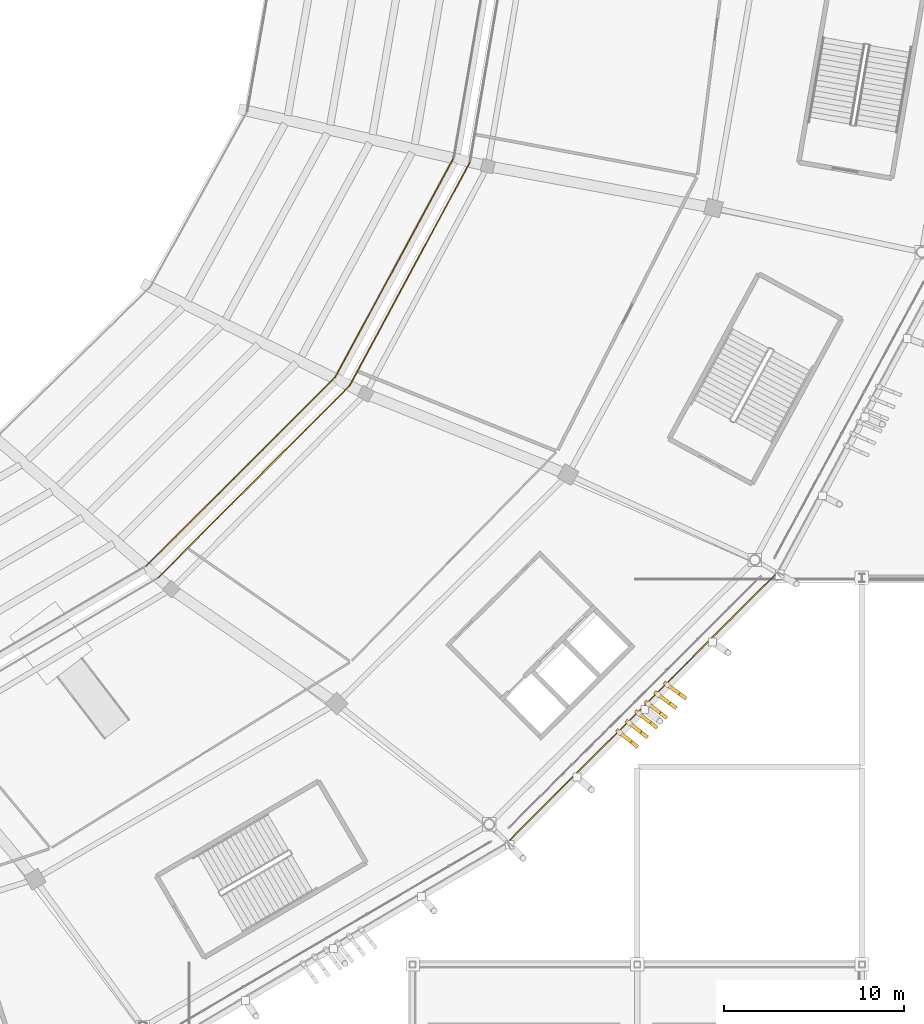
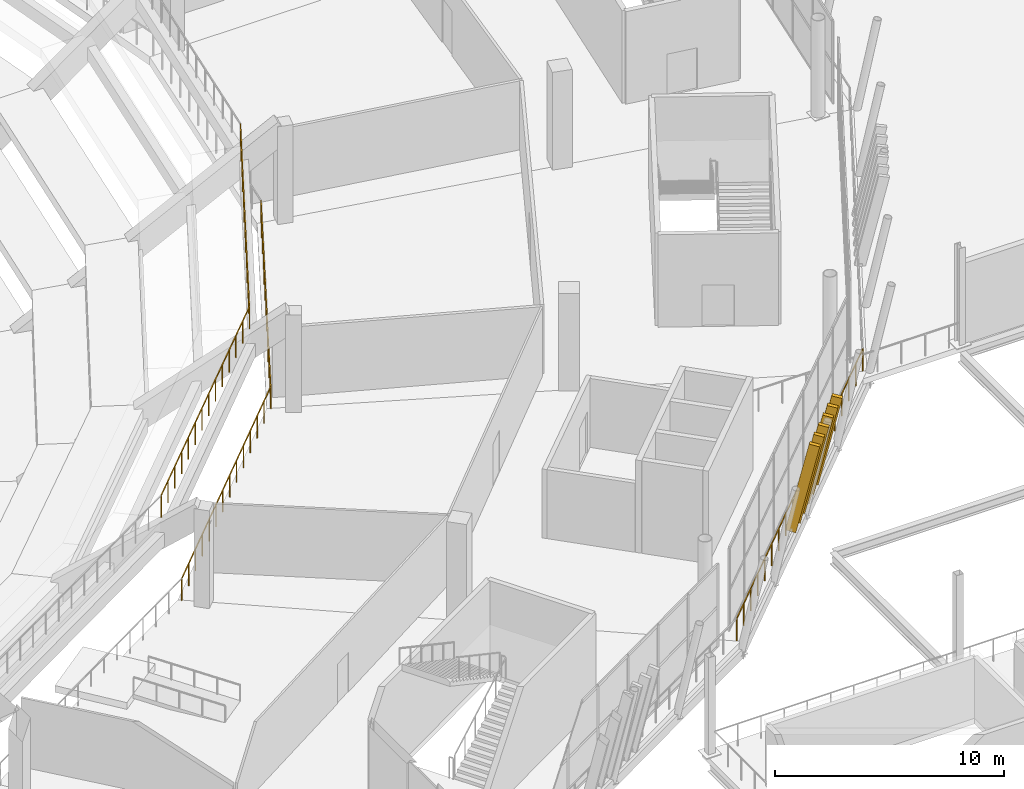
# One storey, part 162 of 178: 6 shading devices, 5 railings.
"""IFC4 building model written with IfcOpenShell, lengths in metres."""

from ifc_helpers import new_model, si_unit, direction, frame, origin, origin_2d, place, context, subcontext, project, spatial, rectangle, extrude, material, material_profile, profile_set, type_object, element, save


model = new_model("IFC4")

# Units and contexts
model_context = context("Model", 3, precision=1e-05, world=origin(), true_north=direction((0.0, 1.0)))
body_context = subcontext(model_context, "Body", "Model", "MODEL_VIEW")
ifc_project = project(units=[si_unit("LENGTHUNIT", "METRE"), si_unit("AREAUNIT", "SQUARE_METRE"), si_unit("VOLUMEUNIT", "CUBIC_METRE"), si_unit("PLANEANGLEUNIT", "RADIAN"), si_unit("MASSUNIT", "GRAM", prefix="KILO")], contexts=[model_context])

# Site, building, storey
site_placement = place(None, origin())
site = spatial("IfcSite", under=ifc_project, at=site_placement, CompositionType="ELEMENT")
building_placement = place(site_placement, origin())
building = spatial("IfcBuilding", under=site, at=building_placement, Name="Zlatoyarsky Gate Stadium", CompositionType="ELEMENT")
storey_placement = place(building_placement, frame((0.0, 0.0, 5.39990234375)))
storey = spatial("IfcBuildingStorey", under=building, at=storey_placement, Name="L01", CompositionType="ELEMENT", Elevation=5.39990234375)

# Railings
ifc_material_1 = material(Name="Powder-coated steel tubular guardrail", Category="steel")
railing_type = type_object("IfcRailingType", Name="CONCOURSE SLAB EDGE GUARDRAIL 1200", PredefinedType="GUARDRAIL", material=ifc_material_1)
railing_1_placement = place(storey_placement, frame((157.704345703125, 44.18505859375, 4.25)))
element("IfcRailing", 1, at=railing_1_placement, inside=storey, type_object=railing_type, Name="Lower bowl back guardrail 21", PredefinedType="GUARDRAIL", context=body_context, shape_type="SweptSolid", body=[
    extrude(rectangle(XDim=0.048095703125, YDim=0.048095703125, at=origin_2d()), frame((0.0, 0.0, 1.17578125), z_axis=(0.707328845655, 0.706884646957, 0.0), x_axis=(-0.706884646957, 0.707328845655, 0.0)), (0.0, 0.0, 1.0), 14.83984375),
    extrude(rectangle(XDim=0.0419921875, YDim=0.0419921875, at=origin_2d()), origin(), (0.0, 0.0, 1.0), 1.15185546875),
    extrude(rectangle(XDim=0.0419921875, YDim=0.0419921875, at=origin_2d()), frame((0.807373046875, 0.806884765625, 0.0)), (0.0, 0.0, 1.0), 1.15185546875),
    extrude(rectangle(XDim=0.0419921875, YDim=0.0419921875, at=origin_2d()), frame((1.61474609375, 1.61376953125, 0.0)), (0.0, 0.0, 1.0), 1.15185546875),
    extrude(rectangle(XDim=0.0419921875, YDim=0.0419921875, at=origin_2d()), frame((2.42236328125, 2.420654296875, 0.0)), (0.0, 0.0, 1.0), 1.15185546875),
    extrude(rectangle(XDim=0.0419921875, YDim=0.0419921875, at=origin_2d()), frame((3.229736328125, 3.227783203125, 0.0)), (0.0, 0.0, 1.0), 1.15185546875),
    extrude(rectangle(XDim=0.0419921875, YDim=0.0419921875, at=origin_2d()), frame((4.037109375, 4.03466796875, 0.0)), (0.0, 0.0, 1.0), 1.15185546875),
    extrude(rectangle(XDim=0.0419921875, YDim=0.0419921875, at=origin_2d()), frame((4.844482421875, 4.841552734375, 0.0)), (0.0, 0.0, 1.0), 1.15185546875),
    extrude(rectangle(XDim=0.0419921875, YDim=0.0419921875, at=origin_2d()), frame((5.652099609375, 5.6484375, 0.0)), (0.0, 0.0, 1.0), 1.15185546875),
    extrude(rectangle(XDim=0.0419921875, YDim=0.0419921875, at=origin_2d()), frame((6.45947265625, 6.455322265625, 0.0)), (0.0, 0.0, 1.0), 1.15185546875),
    extrude(rectangle(XDim=0.0419921875, YDim=0.0419921875, at=origin_2d()), frame((7.266845703125, 7.26220703125, 0.0)), (0.0, 0.0, 1.0), 1.15185546875),
    extrude(rectangle(XDim=0.0419921875, YDim=0.0419921875, at=origin_2d()), frame((8.07421875, 8.0693359375, 0.0)), (0.0, 0.0, 1.0), 1.15185546875),
    extrude(rectangle(XDim=0.0419921875, YDim=0.0419921875, at=origin_2d()), frame((8.8818359375, 8.876220703125, 0.0)), (0.0, 0.0, 1.0), 1.15185546875),
    extrude(rectangle(XDim=0.0419921875, YDim=0.0419921875, at=origin_2d()), frame((9.689208984375, 9.68310546875, 0.0)), (0.0, 0.0, 1.0), 1.15185546875),
    extrude(rectangle(XDim=0.0419921875, YDim=0.0419921875, at=origin_2d()), frame((10.49658203125, 10.489990234375, 0.0)), (0.0, 0.0, 1.0), 1.15185546875),
])
railing_2_placement = place(storey_placement, frame((158.362060546875, 43.52734375, 0.0)))
element("IfcRailing", 2, at=railing_2_placement, inside=storey, type_object=railing_type, Name="L01 inner bowl edge guardrail 21", PredefinedType="GUARDRAIL", context=body_context, shape_type="SweptSolid", body=[
    extrude(rectangle(XDim=0.048095703125, YDim=0.048095703125, at=origin_2d()), frame((0.0, 0.0, 1.17578125), z_axis=(0.70583478362, 0.708376494692, 0.0), x_axis=(-0.708376494692, 0.70583478362, 0.0)), (0.0, 0.0, 1.0), 15.080322265625),
    extrude(rectangle(XDim=0.0419921875, YDim=0.0419921875, at=origin_2d()), origin(), (0.0, 0.0, 1.0), 1.15185546875),
    extrude(rectangle(XDim=0.0419921875, YDim=0.0419921875, at=origin_2d()), frame((0.81884765625, 0.82177734375, 0.0)), (0.0, 0.0, 1.0), 1.15185546875),
    extrude(rectangle(XDim=0.0419921875, YDim=0.0419921875, at=origin_2d()), frame((1.6376953125, 1.6435546875, 0.0)), (0.0, 0.0, 1.0), 1.15185546875),
    extrude(rectangle(XDim=0.0419921875, YDim=0.0419921875, at=origin_2d()), frame((2.456298828125, 2.46533203125, 0.0)), (0.0, 0.0, 1.0), 1.15185546875),
    extrude(rectangle(XDim=0.0419921875, YDim=0.0419921875, at=origin_2d()), frame((3.275146484375, 3.286865234375, 0.0)), (0.0, 0.0, 1.0), 1.15185546875),
    extrude(rectangle(XDim=0.0419921875, YDim=0.0419921875, at=origin_2d()), frame((4.093994140625, 4.108642578125, 0.0)), (0.0, 0.0, 1.0), 1.15185546875),
    extrude(rectangle(XDim=0.0419921875, YDim=0.0419921875, at=origin_2d()), frame((4.912841796875, 4.930419921875, 0.0)), (0.0, 0.0, 1.0), 1.15185546875),
    extrude(rectangle(XDim=0.0419921875, YDim=0.0419921875, at=origin_2d()), frame((5.7314453125, 5.752197265625, 0.0)), (0.0, 0.0, 1.0), 1.15185546875),
    extrude(rectangle(XDim=0.0419921875, YDim=0.0419921875, at=origin_2d()), frame((6.55029296875, 6.573974609375, 0.0)), (0.0, 0.0, 1.0), 1.15185546875),
    extrude(rectangle(XDim=0.0419921875, YDim=0.0419921875, at=origin_2d()), frame((7.369140625, 7.395751953125, 0.0)), (0.0, 0.0, 1.0), 1.15185546875),
    extrude(rectangle(XDim=0.0419921875, YDim=0.0419921875, at=origin_2d()), frame((8.18798828125, 8.21728515625, 0.0)), (0.0, 0.0, 1.0), 1.15185546875),
    extrude(rectangle(XDim=0.0419921875, YDim=0.0419921875, at=origin_2d()), frame((9.006591796875, 9.0390625, 0.0)), (0.0, 0.0, 1.0), 1.15185546875),
    extrude(rectangle(XDim=0.0419921875, YDim=0.0419921875, at=origin_2d()), frame((9.825439453125, 9.86083984375, 0.0)), (0.0, 0.0, 1.0), 1.15185546875),
    extrude(rectangle(XDim=0.0419921875, YDim=0.0419921875, at=origin_2d()), frame((10.644287109375, 10.6826171875, 0.0)), (0.0, 0.0, 1.0), 1.15185546875),
])
railing_3_placement = place(storey_placement, frame((168.200927734375, 54.675048828125, 4.25)))
element("IfcRailing", 3, at=railing_3_placement, inside=storey, type_object=railing_type, Name="Lower bowl back guardrail 22", PredefinedType="GUARDRAIL", context=body_context, shape_type="SweptSolid", body=[
    extrude(rectangle(XDim=0.048095703125, YDim=0.048095703125, at=origin_2d()), frame((0.0, 0.0, 1.17578125), z_axis=(0.475251836211, 0.879849812285, 0.0), x_axis=(-0.879849812285, 0.475251836211, 0.0)), (0.0, 0.0, 1.0), 13.884033203125),
    extrude(rectangle(XDim=0.0419921875, YDim=0.0419921875, at=origin_2d()), origin(), (0.0, 0.0, 1.0), 1.15185546875),
    extrude(rectangle(XDim=0.0419921875, YDim=0.0419921875, at=origin_2d()), frame((0.5498046875, 1.01806640625, 0.0)), (0.0, 0.0, 1.0), 1.15185546875),
    extrude(rectangle(XDim=0.0419921875, YDim=0.0419921875, at=origin_2d()), frame((1.099609375, 2.035888671875, 0.0)), (0.0, 0.0, 1.0), 1.15185546875),
    extrude(rectangle(XDim=0.0419921875, YDim=0.0419921875, at=origin_2d()), frame((1.649658203125, 3.053955078125, 0.0)), (0.0, 0.0, 1.0), 1.15185546875),
    extrude(rectangle(XDim=0.0419921875, YDim=0.0419921875, at=origin_2d()), frame((2.199462890625, 4.072021484375, 0.0)), (0.0, 0.0, 1.0), 1.15185546875),
    extrude(rectangle(XDim=0.0419921875, YDim=0.0419921875, at=origin_2d()), frame((2.749267578125, 5.08984375, 0.0)), (0.0, 0.0, 1.0), 1.15185546875),
    extrude(rectangle(XDim=0.0419921875, YDim=0.0419921875, at=origin_2d()), frame((3.29931640625, 6.10791015625, 0.0)), (0.0, 0.0, 1.0), 1.15185546875),
    extrude(rectangle(XDim=0.0419921875, YDim=0.0419921875, at=origin_2d()), frame((3.84912109375, 7.1259765625, 0.0)), (0.0, 0.0, 1.0), 1.15185546875),
    extrude(rectangle(XDim=0.0419921875, YDim=0.0419921875, at=origin_2d()), frame((4.39892578125, 8.143798828125, 0.0)), (0.0, 0.0, 1.0), 1.15185546875),
    extrude(rectangle(XDim=0.0419921875, YDim=0.0419921875, at=origin_2d()), frame((4.94873046875, 9.161865234375, 0.0)), (0.0, 0.0, 1.0), 1.15185546875),
    extrude(rectangle(XDim=0.0419921875, YDim=0.0419921875, at=origin_2d()), frame((5.49853515625, 10.179931640625, 0.0)), (0.0, 0.0, 1.0), 1.15185546875),
    extrude(rectangle(XDim=0.0419921875, YDim=0.0419921875, at=origin_2d()), frame((6.048583984375, 11.19775390625, 0.0)), (0.0, 0.0, 1.0), 1.15185546875),
    extrude(rectangle(XDim=0.0419921875, YDim=0.0419921875, at=origin_2d()), frame((6.598388671875, 12.2158203125, 0.0)), (0.0, 0.0, 1.0), 1.15185546875),
])
railing_4_placement = place(storey_placement, frame((169.00634765625, 54.2099609375, 0.0)))
element("IfcRailing", 4, at=railing_4_placement, inside=storey, type_object=railing_type, Name="L01 inner bowl edge guardrail 22", PredefinedType="GUARDRAIL", context=body_context, shape_type="SweptSolid", body=[
    extrude(rectangle(XDim=0.048095703125, YDim=0.048095703125, at=origin_2d()), frame((0.0, 0.0, 1.17578125), z_axis=(0.473707090827, 0.880682458154, 0.0), x_axis=(-0.880682458154, 0.473707090827, 0.0)), (0.0, 0.0, 1.0), 14.125732421875),
    extrude(rectangle(XDim=0.0419921875, YDim=0.0419921875, at=origin_2d()), origin(), (0.0, 0.0, 1.0), 1.15185546875),
    extrude(rectangle(XDim=0.0419921875, YDim=0.0419921875, at=origin_2d()), frame((0.5576171875, 1.03662109375, 0.0)), (0.0, 0.0, 1.0), 1.15185546875),
    extrude(rectangle(XDim=0.0419921875, YDim=0.0419921875, at=origin_2d()), frame((1.115234375, 2.0732421875, 0.0)), (0.0, 0.0, 1.0), 1.15185546875),
    extrude(rectangle(XDim=0.0419921875, YDim=0.0419921875, at=origin_2d()), frame((1.6728515625, 3.110107421875, 0.0)), (0.0, 0.0, 1.0), 1.15185546875),
    extrude(rectangle(XDim=0.0419921875, YDim=0.0419921875, at=origin_2d()), frame((2.23046875, 4.146728515625, 0.0)), (0.0, 0.0, 1.0), 1.15185546875),
    extrude(rectangle(XDim=0.0419921875, YDim=0.0419921875, at=origin_2d()), frame((2.7880859375, 5.183349609375, 0.0)), (0.0, 0.0, 1.0), 1.15185546875),
    extrude(rectangle(XDim=0.0419921875, YDim=0.0419921875, at=origin_2d()), frame((3.345703125, 6.22021484375, 0.0)), (0.0, 0.0, 1.0), 1.15185546875),
    extrude(rectangle(XDim=0.0419921875, YDim=0.0419921875, at=origin_2d()), frame((3.9033203125, 7.2568359375, 0.0)), (0.0, 0.0, 1.0), 1.15185546875),
    extrude(rectangle(XDim=0.0419921875, YDim=0.0419921875, at=origin_2d()), frame((4.4609375, 8.29345703125, 0.0)), (0.0, 0.0, 1.0), 1.15185546875),
    extrude(rectangle(XDim=0.0419921875, YDim=0.0419921875, at=origin_2d()), frame((5.0185546875, 9.330078125, 0.0)), (0.0, 0.0, 1.0), 1.15185546875),
    extrude(rectangle(XDim=0.0419921875, YDim=0.0419921875, at=origin_2d()), frame((5.576171875, 10.36669921875, 0.0)), (0.0, 0.0, 1.0), 1.15185546875),
    extrude(rectangle(XDim=0.0419921875, YDim=0.0419921875, at=origin_2d()), frame((6.1337890625, 11.403564453125, 0.0)), (0.0, 0.0, 1.0), 1.15185546875),
    extrude(rectangle(XDim=0.0419921875, YDim=0.0419921875, at=origin_2d()), frame((6.69140625, 12.440185546875, 0.0)), (0.0, 0.0, 1.0), 1.15185546875),
])
railing_5_placement = place(storey_placement, frame((177.77099609375, 28.785400390625, 0.0)))
element("IfcRailing", 5, at=railing_5_placement, inside=storey, type_object=railing_type, Name="L01 outer slab edge guardrail 21", PredefinedType="GUARDRAIL", context=body_context, shape_type="SweptSolid", body=[
    extrude(rectangle(XDim=0.048095703125, YDim=0.048095703125, at=origin_2d()), frame((0.0, 0.0, 1.17578125), z_axis=(0.70725634697, 0.70695718376, 0.0), x_axis=(-0.70695718376, 0.70725634697, 0.0)), (0.0, 0.0, 1.0), 21.218017578125),
    extrude(rectangle(XDim=0.0419921875, YDim=0.0419921875, at=origin_2d()), origin(), (0.0, 0.0, 1.0), 1.15185546875),
    extrude(rectangle(XDim=0.0419921875, YDim=0.0419921875, at=origin_2d()), frame((0.833740234375, 0.833251953125, 0.0)), (0.0, 0.0, 1.0), 1.15185546875),
    extrude(rectangle(XDim=0.0419921875, YDim=0.0419921875, at=origin_2d()), frame((1.66748046875, 1.666748046875, 0.0)), (0.0, 0.0, 1.0), 1.15185546875),
    extrude(rectangle(XDim=0.0419921875, YDim=0.0419921875, at=origin_2d()), frame((2.5009765625, 2.5, 0.0)), (0.0, 0.0, 1.0), 1.15185546875),
    extrude(rectangle(XDim=0.0419921875, YDim=0.0419921875, at=origin_2d()), frame((3.334716796875, 3.33349609375, 0.0)), (0.0, 0.0, 1.0), 1.15185546875),
    extrude(rectangle(XDim=0.0419921875, YDim=0.0419921875, at=origin_2d()), frame((4.16845703125, 4.166748046875, 0.0)), (0.0, 0.0, 1.0), 1.15185546875),
    extrude(rectangle(XDim=0.0419921875, YDim=0.0419921875, at=origin_2d()), frame((5.002197265625, 5.0, 0.0)), (0.0, 0.0, 1.0), 1.15185546875),
    extrude(rectangle(XDim=0.0419921875, YDim=0.0419921875, at=origin_2d()), frame((5.8359375, 5.83349609375, 0.0)), (0.0, 0.0, 1.0), 1.15185546875),
    extrude(rectangle(XDim=0.0419921875, YDim=0.0419921875, at=origin_2d()), frame((6.669677734375, 6.666748046875, 0.0)), (0.0, 0.0, 1.0), 1.15185546875),
    extrude(rectangle(XDim=0.0419921875, YDim=0.0419921875, at=origin_2d()), frame((7.50341796875, 7.5, 0.0)), (0.0, 0.0, 1.0), 1.15185546875),
    extrude(rectangle(XDim=0.0419921875, YDim=0.0419921875, at=origin_2d()), frame((8.3369140625, 8.33349609375, 0.0)), (0.0, 0.0, 1.0), 1.15185546875),
    extrude(rectangle(XDim=0.0419921875, YDim=0.0419921875, at=origin_2d()), frame((9.170654296875, 9.166748046875, 0.0)), (0.0, 0.0, 1.0), 1.15185546875),
    extrude(rectangle(XDim=0.0419921875, YDim=0.0419921875, at=origin_2d()), frame((10.00439453125, 10.000244140625, 0.0)), (0.0, 0.0, 1.0), 1.15185546875),
    extrude(rectangle(XDim=0.0419921875, YDim=0.0419921875, at=origin_2d()), frame((10.838134765625, 10.83349609375, 0.0)), (0.0, 0.0, 1.0), 1.15185546875),
    extrude(rectangle(XDim=0.0419921875, YDim=0.0419921875, at=origin_2d()), frame((11.671875, 11.666748046875, 0.0)), (0.0, 0.0, 1.0), 1.15185546875),
    extrude(rectangle(XDim=0.0419921875, YDim=0.0419921875, at=origin_2d()), frame((12.50537109375, 12.500244140625, 0.0)), (0.0, 0.0, 1.0), 1.15185546875),
    extrude(rectangle(XDim=0.0419921875, YDim=0.0419921875, at=origin_2d()), frame((13.339111328125, 13.33349609375, 0.0)), (0.0, 0.0, 1.0), 1.15185546875),
    extrude(rectangle(XDim=0.0419921875, YDim=0.0419921875, at=origin_2d()), frame((14.1728515625, 14.1669921875, 0.0)), (0.0, 0.0, 1.0), 1.15185546875),
    extrude(rectangle(XDim=0.0419921875, YDim=0.0419921875, at=origin_2d()), frame((15.006591796875, 15.000244140625, 0.0)), (0.0, 0.0, 1.0), 1.15185546875),
])

# Shading devices
ifc_material_2 = material(Name="Precast concrete C40/50 stone-toned architectural rib", Category="masonry")
ifc_material_profile = material_profile(ifc_material_2, rectangle(XDim=0.199951171875, YDim=0.47998046875, at=origin_2d()), Name="RIB 200X480")
ifc_profile_set = profile_set([ifc_material_profile], Name="Precast concrete C40/50 stone-toned architectural rib")
shading_device_type = type_object("IfcShadingDeviceType", Name="PRECAST FLUTED GATE LOUVRE BLADE 200X480", PredefinedType="SHUTTER", material=ifc_profile_set)
for number, where, z_axis, x_axis, name in (
    (6, (184.027099609375, 34.8994140625, -0.010009765625), (0.171821134401, -0.138342216298, 0.975366048703), (0.627139127101, 0.778907257161, 0.0), "Leaning bowl louvre fin L01-21-1"),
    (7, (184.557373046875, 35.4296875, -0.010009765625), (0.173093917752, -0.136714684597, 0.975370488918), (0.619816293776, 0.784746941357, 0.0), "Leaning bowl louvre fin L01-21-2"),
    (8, (185.087646484375, 35.9599609375, -0.010009765625), (0.174365968339, -0.135086561406, 0.975370765408), (0.612438350634, 0.790518353154, 0.0), "Leaning bowl louvre fin L01-21-3"),
    (9, (185.6181640625, 36.490234375, -0.010009765625), (0.17558915102, -0.133409085475, 0.975382215317), (0.604972109105, 0.796246662288, 0.0), "Leaning bowl louvre fin L01-21-4"),
    (10, (186.1484375, 37.0205078125, -0.010009765625), (0.176859704381, -0.131779814254, 0.975374146429), (0.597487139672, 0.801878493243, 0.0), "Leaning bowl louvre fin L01-21-5"),
    (11, (186.6787109375, 37.55078125, -0.010009765625), (0.178129476325, -0.130150014407, 0.975361914068), (0.589952980625, 0.807437601708, 0.0), "Leaning bowl louvre fin L01-21-6"),
):
    element("IfcShadingDevice", number, at=place(storey_placement, frame(where, z_axis=z_axis, x_axis=x_axis)), inside=storey, type_object=shading_device_type, Name=name, PredefinedType="SHUTTER", context=body_context, shape_type="SweptSolid", body=[
        extrude(rectangle(XDim=0.199951171875, YDim=0.47998046875, at=origin_2d()), origin(), (0.0, 0.0, 1.0), 4.79833984375),
    ])

save(model, "model.ifc")
